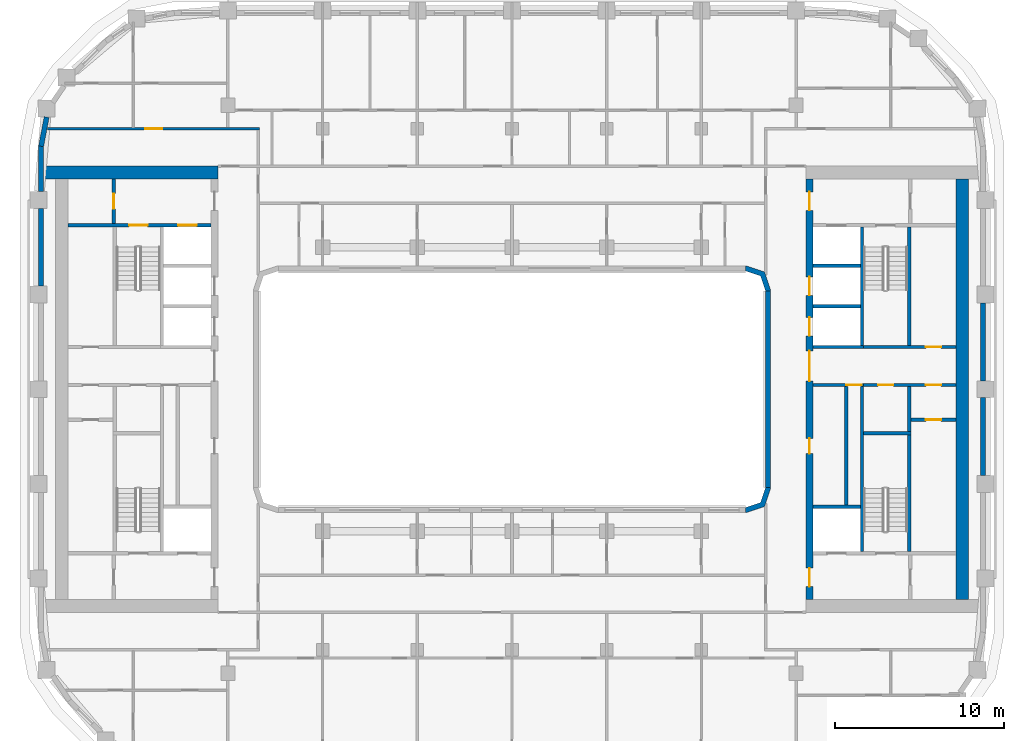
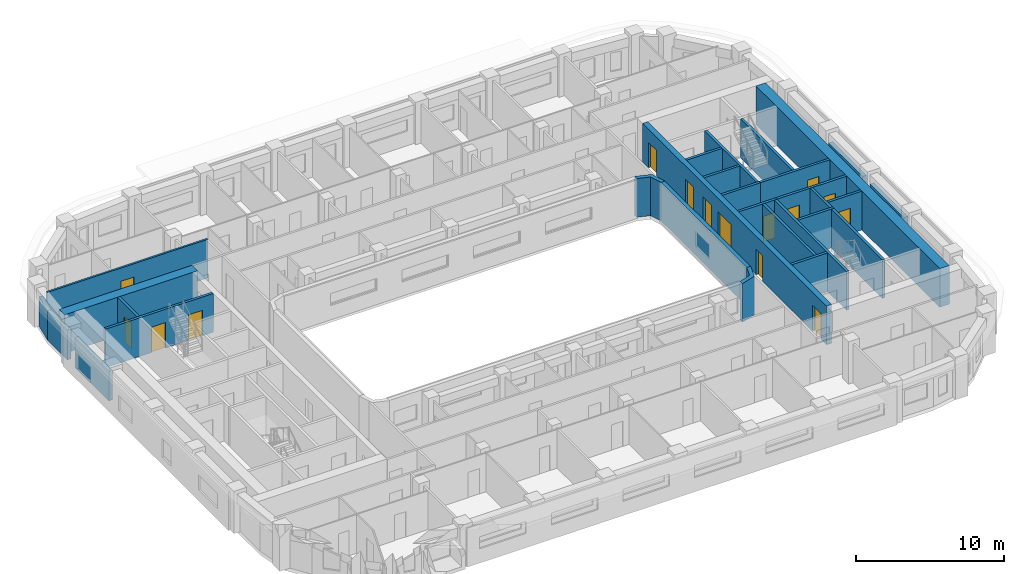
# One storey, part 6 of 22: 29 walls, 15 doors, 15 openings.
"""IFC4 building model written with IfcOpenShell, lengths in metres."""

from ifc_helpers import new_model, si_unit, direction, frame, frame_2d, origin, place, context, subcontext, project, spatial, polyline, rectangle, outline, extrude, material, layer, layer_set, type_object, element, fill, save


model = new_model("IFC4")

# Units and contexts
model_context = context("Model", 3, precision=1e-05, world=origin(), true_north=direction((0.0, 1.0)))
body_context = subcontext(model_context, "Body", "Model", "MODEL_VIEW")
ifc_project = project(units=[si_unit("LENGTHUNIT", "METRE"), si_unit("AREAUNIT", "SQUARE_METRE"), si_unit("VOLUMEUNIT", "CUBIC_METRE"), si_unit("PLANEANGLEUNIT", "RADIAN"), si_unit("MASSUNIT", "GRAM", prefix="KILO")], contexts=[model_context])

# Site, building, storey
site_placement = place(None, origin())
site = spatial("IfcSite", under=ifc_project, at=site_placement, CompositionType="ELEMENT")
building_placement = place(site_placement, origin())
building = spatial("IfcBuilding", under=site, at=building_placement, Name="Kiln Ring Residences", CompositionType="ELEMENT")
storey_placement = place(building_placement, frame((0.0, 0.0, 171.10009765625)))
storey = spatial("IfcBuildingStorey", under=building, at=storey_placement, Name="L44", CompositionType="ELEMENT", Elevation=171.10009765625)

# Wall, opening, door
ifc_material_1 = material(Name="Gypsum board on steel studs", Category="steel")
ifc_layer_1 = layer(ifc_material_1, 0.199951171875)
ifc_layer_set_1 = layer_set([ifc_layer_1], Name="CORE-PARTITION-200")
wall_type_1 = type_object("IfcWallType", Name="CORE-PARTITION-200", PredefinedType="PARTITIONING", material=ifc_layer_set_1)
wall_1_placement = place(storey_placement, frame((-23.550048828125, 9.800048828125, 0.0), z_axis=(0.0, 0.0, 1.0), x_axis=(0.0, 1.0, 0.0)))
wall_1 = element("IfcWall", 1, at=wall_1_placement, inside=storey, type_object=wall_type_1, Name="Core partition west L44 4", PredefinedType="PARTITIONING", context=body_context, shape_type="SweptSolid", body=[
    extrude(rectangle(XDim=2.64990234375, YDim=0.199951171875, at=frame_2d((1.324951171875, 0.0))), origin(), (0.0, 0.0, 1.0), 3.199951171875),
])
opening_1_placement = place(wall_1_placement, frame((0.875, 0.0, 0.0)))
opening_1 = element("IfcOpeningElement", 2, at=opening_1_placement, cuts=wall_1, Name="Opening L44-CW09", PredefinedType="OPENING", context=body_context, shape_type="SweptSolid", body=[
    extrude(rectangle(XDim=0.89990234375, YDim=2.10009765625, at=frame_2d((0.449951171875, 1.050048828125))), frame((0.0, 0.10986328125, 0.0), z_axis=(0.0, -1.0, 0.0), x_axis=(1.0, 0.0, 0.0)), (0.0, 0.0, 1.0), 0.219970703125),
])
ifc_material_2 = material(Name="Steel door leaf", Category="steel")
door_type_1 = type_object("IfcDoorType", Name="CORE-DOOR-ROOM", OperationType="SINGLE_SWING_LEFT", PredefinedType="DOOR", material=ifc_material_2)
door_1_placement = place(opening_1_placement, origin())
door_1 = element("IfcDoor", 3, at=door_1_placement, inside=storey, type_object=door_type_1, Name="Fire riser room L44-CW09", OperationType="SINGLE_SWING_LEFT", OverallHeight=2.10009765625, OverallWidth=0.89990234375, PredefinedType="DOOR", context=body_context, shape_type="SweptSolid", body=[
    extrude(rectangle(XDim=0.89990234375, YDim=2.10009765625, at=frame_2d((0.449951171875, 1.050048828125))), frame((0.0, 0.02490234375, 0.0), z_axis=(0.0, -1.0, 0.0), x_axis=(1.0, 0.0, 0.0)), (0.0, 0.0, 1.0), 0.050048828125),
])
fill(opening_1, door_1)

# Wall
wall_2_placement = place(storey_placement, frame((23.5, -2.5, 0.0), z_axis=(0.0, 0.0, 1.0), x_axis=(0.0, 1.0, 0.0)))
element("IfcWall", 4, at=wall_2_placement, inside=storey, type_object=wall_type_1, Name="Core partition east L44 1", PredefinedType="PARTITIONING", context=body_context, shape_type="SweptSolid", body=[
    extrude(rectangle(XDim=2.64990234375, YDim=0.199951171875, at=frame_2d((1.324951171875, 0.0))), origin(), (0.0, 0.0, 1.0), 3.199951171875),
])

# Wall, openings, doors
wall_3_placement = place(storey_placement, frame((20.800048828125, 0.25, 0.0), z_axis=(0.0, 0.0, 1.0), x_axis=(1.0, 0.0, 0.0)))
wall_3 = element("IfcWall", 5, at=wall_3_placement, inside=storey, type_object=wall_type_1, Name="Core partition east L44 2", PredefinedType="PARTITIONING", context=body_context, shape_type="SweptSolid", body=[
    extrude(rectangle(XDim=5.449951171875, YDim=0.199951171875, at=frame_2d((2.72509765625, 0.0))), origin(), (0.0, 0.0, 1.0), 3.199951171875),
])
opening_2_placement = place(wall_3_placement, frame((0.85009765625, 0.0, 0.0)))
opening_2 = element("IfcOpeningElement", 6, at=opening_2_placement, cuts=wall_3, Name="Opening L44-CE14", PredefinedType="OPENING", context=body_context, shape_type="SweptSolid", body=[
    extrude(rectangle(XDim=0.89990234375, YDim=2.10009765625, at=frame_2d((0.449951171875, 1.050048828125))), frame((0.0, 0.10986328125, 0.0), z_axis=(0.0, -1.0, 0.0), x_axis=(1.0, 0.0, 0.0)), (0.0, 0.0, 1.0), 0.219970703125),
])
opening_3_placement = place(wall_3_placement, frame((3.675048828125, 0.0, 0.0)))
opening_3 = element("IfcOpeningElement", 7, at=opening_3_placement, cuts=wall_3, Name="Opening L44-CE16", PredefinedType="OPENING", context=body_context, shape_type="SweptSolid", body=[
    extrude(rectangle(XDim=0.89990234375, YDim=2.10009765625, at=frame_2d((0.449951171875, 1.050048828125))), frame((0.0, 0.10986328125, 0.0), z_axis=(0.0, -1.0, 0.0), x_axis=(1.0, 0.0, 0.0)), (0.0, 0.0, 1.0), 0.219970703125),
])
door_2_placement = place(opening_2_placement, origin())
door_2 = element("IfcDoor", 8, at=door_2_placement, inside=storey, type_object=door_type_1, Name="Linen store L44-CE14", OperationType="SINGLE_SWING_LEFT", OverallHeight=2.10009765625, OverallWidth=0.89990234375, PredefinedType="DOOR", context=body_context, shape_type="SweptSolid", body=[
    extrude(rectangle(XDim=0.89990234375, YDim=2.10009765625, at=frame_2d((0.449951171875, 1.050048828125))), frame((0.0, 0.02490234375, 0.0), z_axis=(0.0, -1.0, 0.0), x_axis=(1.0, 0.0, 0.0)), (0.0, 0.0, 1.0), 0.050048828125),
])
fill(opening_2, door_2)
door_3_placement = place(opening_3_placement, origin())
door_3 = element("IfcDoor", 9, at=door_3_placement, inside=storey, type_object=door_type_1, Name="Pump and valve room L44-CE16", OperationType="SINGLE_SWING_LEFT", OverallHeight=2.10009765625, OverallWidth=0.89990234375, PredefinedType="DOOR", context=body_context, shape_type="SweptSolid", body=[
    extrude(rectangle(XDim=0.89990234375, YDim=2.10009765625, at=frame_2d((0.449951171875, 1.050048828125))), frame((0.0, 0.02490234375, 0.0), z_axis=(0.0, -1.0, 0.0), x_axis=(1.0, 0.0, 0.0)), (0.0, 0.0, 1.0), 0.050048828125),
])
fill(opening_3, door_3)

# Wall
wall_4_placement = place(storey_placement, frame((19.760009765625, -6.85009765625, 0.0), z_axis=(0.0, 0.0, 1.0), x_axis=(0.0, 1.0, 0.0)))
element("IfcWall", 10, at=wall_4_placement, inside=storey, type_object=wall_type_1, Name="Core partition east L44 3", PredefinedType="PARTITIONING", context=body_context, shape_type="SweptSolid", body=[
    extrude(rectangle(XDim=7.0, YDim=0.199951171875, at=frame_2d((3.5, 0.0))), origin(), (0.0, 0.0, 1.0), 3.199951171875),
])

# Wall, opening, door
wall_5_placement = place(storey_placement, frame((23.60009765625, -1.800048828125, 0.0), z_axis=(0.0, 0.0, 1.0), x_axis=(1.0, 0.0, 0.0)))
wall_5 = element("IfcWall", 11, at=wall_5_placement, inside=storey, type_object=wall_type_1, Name="Core partition east L44 6", PredefinedType="PARTITIONING", context=body_context, shape_type="SweptSolid", body=[
    extrude(rectangle(XDim=2.64990234375, YDim=0.199951171875, at=frame_2d((1.324951171875, 0.0))), origin(), (0.0, 0.0, 1.0), 3.199951171875),
])
opening_4_placement = place(wall_5_placement, frame((0.875, 0.0, 0.0)))
opening_4 = element("IfcOpeningElement", 12, at=opening_4_placement, cuts=wall_5, Name="Opening L44-CE15", PredefinedType="OPENING", context=body_context, shape_type="SweptSolid", body=[
    extrude(rectangle(XDim=0.89990234375, YDim=2.10009765625, at=frame_2d((0.449951171875, 1.050048828125))), frame((0.0, 0.10986328125, 0.0), z_axis=(0.0, -1.0, 0.0), x_axis=(1.0, 0.0, 0.0)), (0.0, 0.0, 1.0), 0.219970703125),
])
door_4_placement = place(opening_4_placement, origin())
door_4 = element("IfcDoor", 13, at=door_4_placement, inside=storey, type_object=door_type_1, Name="Pump and valve room L44-CE15", OperationType="SINGLE_SWING_LEFT", OverallHeight=2.10009765625, OverallWidth=0.89990234375, PredefinedType="DOOR", context=body_context, shape_type="SweptSolid", body=[
    extrude(rectangle(XDim=0.89990234375, YDim=2.10009765625, at=frame_2d((0.449951171875, 1.050048828125))), frame((0.0, 0.02490234375, 0.0), z_axis=(0.0, -1.0, 0.0), x_axis=(1.0, 0.0, 0.0)), (0.0, 0.0, 1.0), 0.050048828125),
])
fill(opening_4, door_4)

# Wall
ifc_material_3 = material(Name="Gypsum shaft wall system")
ifc_layer_2 = layer(ifc_material_3, 0.199951171875)
ifc_layer_set_2 = layer_set([ifc_layer_2], Name="CORE-SHAFT-WALL-200")
wall_type_2 = type_object("IfcWallType", Name="CORE-SHAFT-WALL-200", PredefinedType="PARTITIONING", material=ifc_layer_set_2)
wall_6_placement = place(storey_placement, frame((17.800048828125, -6.949951171875, 0.0), z_axis=(0.0, 0.0, 1.0), x_axis=(1.0, 0.0, 0.0)))
element("IfcWall", 14, at=wall_6_placement, inside=storey, type_object=wall_type_2, Name="Core partition east L44 7", PredefinedType="PARTITIONING", context=body_context, shape_type="SweptSolid", body=[
    extrude(rectangle(XDim=2.800048828125, YDim=0.199951171875, at=frame_2d((1.39990234375, 0.0))), origin(), (0.0, 0.0, 1.0), 3.199951171875),
])

# Wall, opening, door
wall_7_placement = place(storey_placement, frame((17.800048828125, 0.25, 0.0), z_axis=(0.0, 0.0, 1.0), x_axis=(1.0, 0.0, 0.0)))
wall_7 = element("IfcWall", 15, at=wall_7_placement, inside=storey, type_object=wall_type_2, Name="Core partition east L44 8", PredefinedType="PARTITIONING", context=body_context, shape_type="SweptSolid", body=[
    extrude(rectangle(XDim=3.0, YDim=0.199951171875, at=frame_2d((1.5, 0.0))), origin(), (0.0, 0.0, 1.0), 3.199951171875),
])
opening_5_placement = place(wall_7_placement, frame((1.97998046875, 0.0, 0.0)))
opening_5 = element("IfcOpeningElement", 16, at=opening_5_placement, cuts=wall_7, Name="Opening L44-CE03", PredefinedType="OPENING", context=body_context, shape_type="SweptSolid", body=[
    extrude(rectangle(XDim=0.89990234375, YDim=2.10009765625, at=frame_2d((0.449951171875, 1.050048828125))), frame((0.0, 0.10986328125, 0.0), z_axis=(0.0, -1.0, 0.0), x_axis=(1.0, 0.0, 0.0)), (0.0, 0.0, 1.0), 0.219970703125),
])
door_5_placement = place(opening_5_placement, origin())
door_5 = element("IfcDoor", 17, at=door_5_placement, inside=storey, type_object=door_type_1, Name="Waste room L44-CE03", OperationType="SINGLE_SWING_RIGHT", OverallHeight=2.10009765625, OverallWidth=0.89990234375, PredefinedType="DOOR", context=body_context, shape_type="SweptSolid", body=[
    extrude(rectangle(XDim=0.89990234375, YDim=2.10009765625, at=frame_2d((0.449951171875, 1.050048828125))), frame((0.0, 0.02490234375, 0.0), z_axis=(0.0, -1.0, 0.0), x_axis=(1.0, 0.0, 0.0)), (0.0, 0.0, 1.0), 0.050048828125),
])
fill(opening_5, door_5)

# Walls
wall_8_placement = place(storey_placement, frame((17.800048828125, 2.5, 0.0), z_axis=(0.0, 0.0, 1.0), x_axis=(1.0, 0.0, 0.0)))
element("IfcWall", 18, at=wall_8_placement, inside=storey, type_object=wall_type_2, Name="Core partition east L44 9", PredefinedType="PARTITIONING", context=body_context, shape_type="SweptSolid", body=[
    extrude(rectangle(XDim=3.0, YDim=0.199951171875, at=frame_2d((1.5, 0.0))), origin(), (0.0, 0.0, 1.0), 3.199951171875),
])
for number, where, z_axis, x_axis, name in (
    (19, (17.800048828125, 4.89990234375, 0.0), (0.0, 0.0, 1.0), (1.0, 0.0, 0.0), "Core partition east L44 10"),
    (20, (17.800048828125, 7.300048828125, 0.0), (0.0, 0.0, 1.0), (1.0, 0.0, 0.0), "Core partition east L44 11"),
):
    element("IfcWall", number, at=place(storey_placement, frame(where, z_axis=z_axis, x_axis=x_axis)), inside=storey, type_object=wall_type_2, Name=name, PredefinedType="PARTITIONING", context=body_context, shape_type="SweptSolid", body=[
        extrude(rectangle(XDim=2.800048828125, YDim=0.199951171875, at=frame_2d((1.39990234375, 0.0))), origin(), (0.0, 0.0, 1.0), 3.199951171875),
    ])

# Wall, openings, doors
ifc_material_4 = material(Name="Concrete C40/50", Category="concrete")
ifc_layer_3 = layer(ifc_material_4, 0.199951171875)
ifc_layer_set_3 = layer_set([ifc_layer_3], Name="CORE-WALL-RC200")
wall_type_3 = type_object("IfcWallType", Name="CORE-WALL-RC200", PredefinedType="SHEAR", material=ifc_layer_set_3)
wall_9_placement = place(storey_placement, frame((-17.800048828125, 9.699951171875, 0.0), z_axis=(0.0, 0.0, 1.0), x_axis=(-1.0, 0.0, 0.0)))
wall_9 = element("IfcWall", 21, at=wall_9_placement, inside=storey, type_object=wall_type_3, Name="Core wall west L44 9", PredefinedType="SHEAR", context=body_context, shape_type="SweptSolid", body=[
    extrude(rectangle(XDim=8.449951171875, YDim=0.199951171875, at=frame_2d((4.22509765625, 0.0))), origin(), (0.0, 0.0, 1.0), 3.199951171875),
])
opening_6_placement = place(wall_9_placement, frame((0.85009765625, 0.0, 0.0)))
opening_6 = element("IfcOpeningElement", 22, at=opening_6_placement, cuts=wall_9, Name="Opening L44-CW06", PredefinedType="OPENING", context=body_context, shape_type="SweptSolid", body=[
    extrude(rectangle(XDim=1.10009765625, YDim=2.10009765625, at=frame_2d((0.550048828125, 1.050048828125))), frame((0.0, 0.10986328125, 0.0), z_axis=(0.0, -1.0, 0.0), x_axis=(1.0, 0.0, 0.0)), (0.0, 0.0, 1.0), 0.219970703125),
])
opening_7_placement = place(wall_9_placement, frame((3.75, 0.0, 0.0)))
opening_7 = element("IfcOpeningElement", 23, at=opening_7_placement, cuts=wall_9, Name="Opening L44-CW11", PredefinedType="OPENING", context=body_context, shape_type="SweptSolid", body=[
    extrude(rectangle(XDim=1.10009765625, YDim=2.10009765625, at=frame_2d((0.550048828125, 1.050048828125))), frame((0.0, 0.10986328125, 0.0), z_axis=(0.0, -1.0, 0.0), x_axis=(1.0, 0.0, 0.0)), (0.0, 0.0, 1.0), 0.219970703125),
])
ifc_material_5 = material(Name="Steel door leaf", Category="steel")
door_type_2 = type_object("IfcDoorType", Name="CORE-DOOR-LD", OperationType="DOUBLE_DOOR_SLIDING", PredefinedType="DOOR", material=ifc_material_5)
door_6_placement = place(opening_6_placement, origin())
door_6 = element("IfcDoor", 24, at=door_6_placement, inside=storey, type_object=door_type_2, Name="LD W-FF L44-CW06", OperationType="DOUBLE_DOOR_SLIDING", OverallHeight=2.10009765625, OverallWidth=1.10009765625, PredefinedType="DOOR", context=body_context, shape_type="SweptSolid", body=[
    extrude(rectangle(XDim=1.10009765625, YDim=2.10009765625, at=frame_2d((0.550048828125, 1.050048828125))), frame((0.0, 0.02490234375, 0.0), z_axis=(0.0, -1.0, 0.0), x_axis=(1.0, 0.0, 0.0)), (0.0, 0.0, 1.0), 0.050048828125),
])
fill(opening_6, door_6)
ifc_material_6 = material(Name="Steel door leaf", Category="steel")
door_type_3 = type_object("IfcDoorType", Name="CORE-DOOR-STAIR", OperationType="SINGLE_SWING_LEFT", PredefinedType="DOOR", material=ifc_material_6)
door_7_placement = place(opening_7_placement, origin())
door_7 = element("IfcDoor", 25, at=door_7_placement, inside=storey, type_object=door_type_3, Name="Stair W-STN L44-CW11", OperationType="SINGLE_SWING_LEFT", OverallHeight=2.10009765625, OverallWidth=1.10009765625, PredefinedType="DOOR", context=body_context, shape_type="SweptSolid", body=[
    extrude(rectangle(XDim=1.10009765625, YDim=2.10009765625, at=frame_2d((0.550048828125, 1.050048828125))), frame((0.0, 0.02490234375, 0.0), z_axis=(0.0, -1.0, 0.0), x_axis=(1.0, 0.0, 0.0)), (0.0, 0.0, 1.0), 0.050048828125),
])
fill(opening_7, door_7)

# Walls
wall_10_placement = place(storey_placement, frame((20.699951171875, 2.60009765625, 0.0), z_axis=(0.0, 0.0, 1.0), x_axis=(0.0, 1.0, 0.0)))
element("IfcWall", 26, at=wall_10_placement, inside=storey, type_object=wall_type_3, Name="Core wall east L44 1", PredefinedType="SHEAR", context=body_context, shape_type="SweptSolid", body=[
    extrude(rectangle(XDim=7.0, YDim=0.199951171875, at=frame_2d((3.5, 0.0))), origin(), (0.0, 0.0, 1.0), 3.199951171875),
])
wall_11_placement = place(storey_placement, frame((20.699951171875, -9.60009765625, 0.0), z_axis=(0.0, 0.0, 1.0), x_axis=(0.0, 1.0, 0.0)))
element("IfcWall", 27, at=wall_11_placement, inside=storey, type_object=wall_type_3, Name="Core wall east L44 2", PredefinedType="SHEAR", context=body_context, shape_type="SweptSolid", body=[
    extrude(rectangle(XDim=9.75, YDim=0.199951171875, at=frame_2d((4.875, 0.0))), origin(), (0.0, 0.0, 1.0), 3.199951171875),
])

# Wall, opening, door
wall_12_placement = place(storey_placement, frame((20.800048828125, 2.5, 0.0), z_axis=(0.0, 0.0, 1.0), x_axis=(1.0, 0.0, 0.0)))
wall_12 = element("IfcWall", 28, at=wall_12_placement, inside=storey, type_object=wall_type_3, Name="Core wall east L44 3", PredefinedType="SHEAR", context=body_context, shape_type="SweptSolid", body=[
    extrude(rectangle(XDim=5.449951171875, YDim=0.199951171875, at=frame_2d((2.72509765625, 0.0))), origin(), (0.0, 0.0, 1.0), 3.199951171875),
])
opening_8_placement = place(wall_12_placement, frame((3.675048828125, 0.0, 0.0)))
opening_8 = element("IfcOpeningElement", 29, at=opening_8_placement, cuts=wall_12, Name="Opening L44-CE17", PredefinedType="OPENING", context=body_context, shape_type="SweptSolid", body=[
    extrude(rectangle(XDim=0.89990234375, YDim=2.10009765625, at=frame_2d((0.449951171875, 1.050048828125))), frame((0.0, 0.10986328125, 0.0), z_axis=(0.0, -1.0, 0.0), x_axis=(1.0, 0.0, 0.0)), (0.0, 0.0, 1.0), 0.219970703125),
])
door_8_placement = place(opening_8_placement, origin())
door_8 = element("IfcDoor", 30, at=door_8_placement, inside=storey, type_object=door_type_1, Name="Electrical plant room L44-CE17", OperationType="SINGLE_SWING_LEFT", OverallHeight=2.10009765625, OverallWidth=0.89990234375, PredefinedType="DOOR", context=body_context, shape_type="SweptSolid", body=[
    extrude(rectangle(XDim=0.89990234375, YDim=2.10009765625, at=frame_2d((0.449951171875, 1.050048828125))), frame((0.0, 0.02490234375, 0.0), z_axis=(0.0, -1.0, 0.0), x_axis=(1.0, 0.0, 0.0)), (0.0, 0.0, 1.0), 0.050048828125),
])
fill(opening_8, door_8)

# Walls
wall_13_placement = place(storey_placement, frame((23.5, 2.60009765625, 0.0), z_axis=(0.0, 0.0, 1.0), x_axis=(0.0, 1.0, 0.0)))
element("IfcWall", 31, at=wall_13_placement, inside=storey, type_object=wall_type_3, Name="Core wall east L44 10", PredefinedType="SHEAR", context=body_context, shape_type="SweptSolid", body=[
    extrude(rectangle(XDim=7.0, YDim=0.199951171875, at=frame_2d((3.5, 0.0))), origin(), (0.0, 0.0, 1.0), 3.199951171875),
])
wall_14_placement = place(storey_placement, frame((23.5, -9.60009765625, 0.0), z_axis=(0.0, 0.0, 1.0), x_axis=(0.0, 1.0, 0.0)))
element("IfcWall", 32, at=wall_14_placement, inside=storey, type_object=wall_type_3, Name="Core wall east L44 11", PredefinedType="SHEAR", context=body_context, shape_type="SweptSolid", body=[
    extrude(rectangle(XDim=6.900146484375, YDim=0.199951171875, at=frame_2d((3.4501953125, 0.0))), origin(), (0.0, 0.0, 1.0), 3.199951171875),
])
wall_15_placement = place(storey_placement, frame((20.800048828125, -2.60009765625, 0.0), z_axis=(0.0, 0.0, 1.0), x_axis=(1.0, 0.0, 0.0)))
element("IfcWall", 33, at=wall_15_placement, inside=storey, type_object=wall_type_3, Name="Core wall east L44 12", PredefinedType="SHEAR", context=body_context, shape_type="SweptSolid", body=[
    extrude(rectangle(XDim=2.800048828125, YDim=0.199951171875, at=frame_2d((1.39990234375, 0.0))), origin(), (0.0, 0.0, 1.0), 3.199951171875),
])

# Wall, openings, doors
ifc_material_7 = material(Name="Concrete C60/75", Category="concrete")
ifc_layer_4 = layer(ifc_material_7, 0.39990234375)
ifc_layer_set_4 = layer_set([ifc_layer_4], Name="CORE-WALL-RC400")
wall_type_4 = type_object("IfcWallType", Name="CORE-WALL-RC400", PredefinedType="SHEAR", material=ifc_layer_set_4)
wall_16_placement = place(storey_placement, frame((17.60009765625, -12.449951171875, 0.0), z_axis=(0.0, 0.0, 1.0), x_axis=(0.0, 1.0, 0.0)))
wall_16 = element("IfcWall", 34, at=wall_16_placement, inside=storey, type_object=wall_type_4, Name="Core wall east L44 6", PredefinedType="SHEAR", context=body_context, shape_type="SweptSolid", body=[
    extrude(rectangle(XDim=24.89990234375, YDim=0.39990234375, at=frame_2d((12.449951171875, 0.0))), origin(), (0.0, 0.0, 1.0), 3.199951171875),
])
opening_9_placement = place(wall_16_placement, frame((8.64990234375, 0.0, 0.0)))
opening_9 = element("IfcOpeningElement", 35, at=opening_9_placement, cuts=wall_16, Name="Opening L44-CE02", PredefinedType="OPENING", context=body_context, shape_type="SweptSolid", body=[
    extrude(rectangle(XDim=0.89990234375, YDim=2.10009765625, at=frame_2d((0.449951171875, 1.050048828125))), frame((0.0, 0.2099609375, 0.0), z_axis=(0.0, -1.0, 0.0), x_axis=(1.0, 0.0, 0.0)), (0.0, 0.0, 1.0), 0.419921875),
])
opening_10_placement = place(wall_16_placement, frame((15.60009765625, 0.0, 0.0)))
opening_10 = element("IfcOpeningElement", 36, at=opening_10_placement, cuts=wall_16, Name="Opening L44-CE04", PredefinedType="OPENING", context=body_context, shape_type="SweptSolid", body=[
    extrude(rectangle(XDim=1.10009765625, YDim=2.10009765625, at=frame_2d((0.550048828125, 1.050048828125))), frame((0.0, 0.2099609375, 0.0), z_axis=(0.0, -1.0, 0.0), x_axis=(1.0, 0.0, 0.0)), (0.0, 0.0, 1.0), 0.419921875),
])
opening_11_placement = place(wall_16_placement, frame((18.0, 0.0, 0.0)))
opening_11 = element("IfcOpeningElement", 37, at=opening_11_placement, cuts=wall_16, Name="Opening L44-CE05", PredefinedType="OPENING", context=body_context, shape_type="SweptSolid", body=[
    extrude(rectangle(XDim=1.10009765625, YDim=2.10009765625, at=frame_2d((0.550048828125, 1.050048828125))), frame((0.0, 0.2099609375, 0.0), z_axis=(0.0, -1.0, 0.0), x_axis=(1.0, 0.0, 0.0)), (0.0, 0.0, 1.0), 0.419921875),
])
opening_12_placement = place(wall_16_placement, frame((23.02490234375, 0.0, 0.0)))
opening_12 = element("IfcOpeningElement", 38, at=opening_12_placement, cuts=wall_16, Name="Opening L44-CE07", PredefinedType="OPENING", context=body_context, shape_type="SweptSolid", body=[
    extrude(rectangle(XDim=1.10009765625, YDim=2.10009765625, at=frame_2d((0.550048828125, 1.050048828125))), frame((0.0, 0.2099609375, 0.0), z_axis=(0.0, -1.0, 0.0), x_axis=(1.0, 0.0, 0.0)), (0.0, 0.0, 1.0), 0.419921875),
])
opening_13_placement = place(wall_16_placement, frame((0.77490234375, 0.0, 0.0)))
opening_13 = element("IfcOpeningElement", 39, at=opening_13_placement, cuts=wall_16, Name="Opening L44-CE08", PredefinedType="OPENING", context=body_context, shape_type="SweptSolid", body=[
    extrude(rectangle(XDim=1.10009765625, YDim=2.10009765625, at=frame_2d((0.550048828125, 1.050048828125))), frame((0.0, 0.2099609375, 0.0), z_axis=(0.0, -1.0, 0.0), x_axis=(1.0, 0.0, 0.0)), (0.0, 0.0, 1.0), 0.419921875),
])
opening_14_placement = place(wall_16_placement, frame((12.925048828125, 0.0, 0.0)))
opening_14 = element("IfcOpeningElement", 40, at=opening_14_placement, cuts=wall_16, Name="Opening L44-CE13", PredefinedType="OPENING", context=body_context, shape_type="SweptSolid", body=[
    extrude(rectangle(XDim=1.800048828125, YDim=2.10009765625, at=frame_2d((0.89990234375, 1.050048828125))), frame((0.0, 0.2099609375, 0.0), z_axis=(0.0, -1.0, 0.0), x_axis=(1.0, 0.0, 0.0)), (0.0, 0.0, 1.0), 0.419921875),
])
door_9_placement = place(opening_10_placement, origin())
door_9 = element("IfcDoor", 41, at=door_9_placement, inside=storey, type_object=door_type_2, Name="LD E-M1 L44-CE04", OperationType="DOUBLE_DOOR_SLIDING", OverallHeight=2.10009765625, OverallWidth=1.10009765625, PredefinedType="DOOR", context=body_context, shape_type="SweptSolid", body=[
    extrude(rectangle(XDim=1.10009765625, YDim=2.10009765625, at=frame_2d((0.550048828125, 1.050048828125))), frame((0.0, 0.02490234375, 0.0), z_axis=(0.0, -1.0, 0.0), x_axis=(1.0, 0.0, 0.0)), (0.0, 0.0, 1.0), 0.050048828125),
])
fill(opening_10, door_9)
door_10_placement = place(opening_11_placement, origin())
door_10 = element("IfcDoor", 42, at=door_10_placement, inside=storey, type_object=door_type_2, Name="LD E-M2 L44-CE05", OperationType="DOUBLE_DOOR_SLIDING", OverallHeight=2.10009765625, OverallWidth=1.10009765625, PredefinedType="DOOR", context=body_context, shape_type="SweptSolid", body=[
    extrude(rectangle(XDim=1.10009765625, YDim=2.10009765625, at=frame_2d((0.550048828125, 1.050048828125))), frame((0.0, 0.02490234375, 0.0), z_axis=(0.0, -1.0, 0.0), x_axis=(1.0, 0.0, 0.0)), (0.0, 0.0, 1.0), 0.050048828125),
])
fill(opening_11, door_10)
ifc_material_8 = material(Name="Steel door leaf", Category="steel")
door_type_4 = type_object("IfcDoorType", Name="CORE-DOOR-LOBBY", OperationType="SINGLE_SWING_LEFT", PredefinedType="DOOR", material=ifc_material_8)
door_11_placement = place(opening_12_placement, origin())
door_11 = element("IfcDoor", 43, at=door_11_placement, inside=storey, type_object=door_type_4, Name="FFL L44-CE07", OperationType="SINGLE_SWING_LEFT", OverallHeight=2.10009765625, OverallWidth=1.10009765625, PredefinedType="DOOR", context=body_context, shape_type="SweptSolid", body=[
    extrude(rectangle(XDim=1.10009765625, YDim=2.10009765625, at=frame_2d((0.550048828125, 1.050048828125))), frame((0.0, 0.02490234375, 0.0), z_axis=(0.0, -1.0, 0.0), x_axis=(1.0, 0.0, 0.0)), (0.0, 0.0, 1.0), 0.050048828125),
])
fill(opening_12, door_11)
door_12_placement = place(opening_13_placement, origin())
door_12 = element("IfcDoor", 44, at=door_12_placement, inside=storey, type_object=door_type_4, Name="SVL L44-CE08", OperationType="SINGLE_SWING_RIGHT", OverallHeight=2.10009765625, OverallWidth=1.10009765625, PredefinedType="DOOR", context=body_context, shape_type="SweptSolid", body=[
    extrude(rectangle(XDim=1.10009765625, YDim=2.10009765625, at=frame_2d((0.550048828125, 1.050048828125))), frame((0.0, 0.02490234375, 0.0), z_axis=(0.0, -1.0, 0.0), x_axis=(1.0, 0.0, 0.0)), (0.0, 0.0, 1.0), 0.050048828125),
])
fill(opening_13, door_12)
ifc_material_9 = material(Name="Steel door leaf", Category="steel")
door_type_5 = type_object("IfcDoorType", Name="CORE-DOOR-PASS", OperationType="DOUBLE_DOOR_SINGLE_SWING", PredefinedType="DOOR", material=ifc_material_9)
door_13_placement = place(opening_14_placement, origin())
door_13 = element("IfcDoor", 45, at=door_13_placement, inside=storey, type_object=door_type_5, Name="Core passage L44-CE13", OperationType="DOUBLE_DOOR_SINGLE_SWING", OverallHeight=2.10009765625, OverallWidth=1.800048828125, PredefinedType="DOOR", context=body_context, shape_type="SweptSolid", body=[
    extrude(rectangle(XDim=1.800048828125, YDim=2.10009765625, at=frame_2d((0.89990234375, 1.050048828125))), frame((0.0, 0.02490234375, 0.0), z_axis=(0.0, -1.0, 0.0), x_axis=(1.0, 0.0, 0.0)), (0.0, 0.0, 1.0), 0.050048828125),
])
fill(opening_14, door_13)
door_14_placement = place(opening_9_placement, origin())
door_14 = element("IfcDoor", 46, at=door_14_placement, inside=storey, type_object=door_type_1, Name="Janitor's store L44-CE02", OperationType="SINGLE_SWING_LEFT", OverallHeight=2.10009765625, OverallWidth=0.89990234375, PredefinedType="DOOR", context=body_context, shape_type="SweptSolid", body=[
    extrude(rectangle(XDim=0.89990234375, YDim=2.10009765625, at=frame_2d((0.449951171875, 1.050048828125))), frame((0.0, 0.02490234375, 0.0), z_axis=(0.0, -1.0, 0.0), x_axis=(1.0, 0.0, 0.0)), (0.0, 0.0, 1.0), 0.050048828125),
])
fill(opening_9, door_14)

# Walls
ifc_material_10 = material(Name="Concrete C60/75", Category="concrete")
ifc_layer_5 = layer(ifc_material_10, 0.75)
ifc_layer_set_5 = layer_set([ifc_layer_5], Name="CORE-WALL-RC750")
wall_type_5 = type_object("IfcWallType", Name="CORE-WALL-RC750", PredefinedType="SHEAR", material=ifc_layer_set_5)
wall_17_placement = place(storey_placement, frame((-17.39990234375, 12.824951171875, 0.0), z_axis=(0.0, 0.0, 1.0), x_axis=(-1.0, 0.0, 0.0)))
element("IfcWall", 47, at=wall_17_placement, inside=storey, type_object=wall_type_5, Name="Core wall west L44 4", PredefinedType="SHEAR", context=body_context, shape_type="SweptSolid", body=[
    extrude(rectangle(XDim=10.400146484375, YDim=0.75, at=frame_2d((5.2001953125, 0.0))), origin(), (0.0, 0.0, 1.0), 3.199951171875),
])
wall_18_placement = place(storey_placement, frame((26.625, -12.449951171875, 0.0), z_axis=(0.0, 0.0, 1.0), x_axis=(0.0, 1.0, 0.0)))
element("IfcWall", 48, at=wall_18_placement, inside=storey, type_object=wall_type_5, Name="Core wall east L44 7", PredefinedType="SHEAR", context=body_context, shape_type="SweptSolid", body=[
    extrude(rectangle(XDim=24.89990234375, YDim=0.75, at=frame_2d((12.449951171875, 0.0))), origin(), (0.0, 0.0, 1.0), 3.199951171875),
])
ifc_material_11 = material(Name="Brick masonry, dark clay brick", Category="masonry")
ifc_layer_6 = layer(ifc_material_11, 0.300048828125)
ifc_layer_set_6 = layer_set([ifc_layer_6], Name="EW-300 BRICK WALL")
wall_type_6 = type_object("IfcWallType", Name="EW-300 BRICK WALL", PredefinedType="SOLIDWALL", material=ifc_layer_set_6)
for number, where, z_axis, x_axis, name in (
    (49, (27.85009765625, -5.10009765625, 0.0), (0.0, 0.0, 1.0), (0.0, 1.0, 0.0), "Facade wall L44 19"),
    (50, (27.85009765625, 0.5, 0.0), (0.0, 0.0, 1.0), (0.0, 1.0, 0.0), "Facade wall L44 20"),
):
    element("IfcWall", number, at=place(storey_placement, frame(where, z_axis=z_axis, x_axis=x_axis)), inside=storey, type_object=wall_type_6, Name=name, PredefinedType="SOLIDWALL", context=body_context, shape_type="SweptSolid", body=[
        extrude(rectangle(XDim=4.60009765625, YDim=0.300048828125, at=frame_2d((2.300048828125, 0.0))), origin(), (0.0, 0.0, 1.0), 2.449951171875),
    ])
wall_19_placement = place(storey_placement, frame((-27.523681640625, 16.096923828125, 0.0), z_axis=(0.0, 0.0, 1.0), x_axis=(-0.187259034321, -0.982310569049, 0.0)))
element("IfcWall", 51, at=wall_19_placement, inside=storey, type_object=wall_type_6, Name="Facade wall L44 40", PredefinedType="SOLIDWALL", context=body_context, shape_type="SweptSolid", body=[
    extrude(rectangle(XDim=1.756103515625, YDim=0.300048828125, at=frame_2d((0.8779296875, 0.0))), origin(), (0.0, 0.0, 1.0), 2.449951171875),
])
wall_20_placement = place(storey_placement, frame((-27.85009765625, 14.39990234375, 0.0), z_axis=(0.0, 0.0, 1.0), x_axis=(0.0, -1.0, 0.0)))
element("IfcWall", 52, at=wall_20_placement, inside=storey, type_object=wall_type_6, Name="Facade wall L44 41", PredefinedType="SOLIDWALL", context=body_context, shape_type="SweptSolid", body=[
    extrude(rectangle(XDim=2.699951171875, YDim=0.300048828125, at=frame_2d((1.35009765625, 0.0))), origin(), (0.0, 0.0, 1.0), 2.449951171875),
])
wall_21_placement = place(storey_placement, frame((-27.85009765625, 10.699951171875, 0.0), z_axis=(0.0, 0.0, 1.0), x_axis=(0.0, -1.0, 0.0)))
element("IfcWall", 53, at=wall_21_placement, inside=storey, type_object=wall_type_6, Name="Facade wall L44 42", PredefinedType="SOLIDWALL", context=body_context, shape_type="SweptSolid", body=[
    extrude(rectangle(XDim=4.599853515625, YDim=0.300048828125, at=frame_2d((2.2998046875, 0.0))), origin(), (0.0, 0.0, 1.0), 2.449951171875),
])
wall_22_placement = place(storey_placement, frame((15.14990234375, 5.800048828125, 0.0), z_axis=(0.0, 0.0, 1.0), x_axis=(0.0, -1.0, 0.0)))
element("IfcWall", 54, at=wall_22_placement, inside=storey, type_object=wall_type_6, Name="Facade wall L44 51", PredefinedType="SOLIDWALL", context=body_context, shape_type="SweptSolid", body=[
    extrude(rectangle(XDim=11.60009765625, YDim=0.300048828125, at=frame_2d((5.800048828125, 0.0))), origin(), (0.0, 0.0, 1.0), 3.199951171875),
])
placement = place(storey_placement, origin())
element("IfcWall", 55, at=placement, inside=storey, type_object=wall_type_6, Name="Corner wall L44 2", PredefinedType="SOLIDWALL", context=body_context, shape_type="SweptSolid", body=[
    extrude(outline(polyline([(14.937255859375, 6.937255859375), (13.8486328125, 7.300048828125), (13.800048828125, 7.300048828125), (13.800048828125, 7.0), (14.699951171875, 6.699951171875), (15.0, 5.800048828125), (15.300048828125, 5.800048828125), (15.300048828125, 5.8486328125), (14.937255859375, 6.937255859375)])), origin(), (0.0, 0.0, 1.0), 3.199951171875),
])
element("IfcWall", 56, at=placement, inside=storey, type_object=wall_type_6, Name="Corner wall L44 3", PredefinedType="SOLIDWALL", context=body_context, shape_type="SweptSolid", body=[
    extrude(outline(polyline([(14.937255859375, -6.937255859375), (15.300048828125, -5.8486328125), (15.300048828125, -5.800048828125), (15.0, -5.800048828125), (14.699951171875, -6.699951171875), (13.800048828125, -7.0), (13.800048828125, -7.300048828125), (13.8486328125, -7.300048828125), (14.937255859375, -6.937255859375)])), origin(), (0.0, 0.0, 1.0), 3.199951171875),
])

# Wall, opening, door
ifc_material_12 = material(Name="Brick masonry partition", Category="masonry")
ifc_layer_7 = layer(ifc_material_12, 0.14990234375)
ifc_layer_set_7 = layer_set([ifc_layer_7], Name="PARTITION-150-ei60")
wall_type_7 = type_object("IfcWallType", Name="PARTITION-150-ei60", PredefinedType="PARTITIONING", material=ifc_layer_set_7)
wall_25_placement = place(storey_placement, frame((-27.48388671875, 15.39990234375, 0.0), z_axis=(0.0, 0.0, 1.0), x_axis=(1.0, 0.0, 0.0)))
wall_25 = element("IfcWall", 57, at=wall_25_placement, inside=storey, type_object=wall_type_7, Name="Partition 009", PredefinedType="PARTITIONING", context=body_context, shape_type="SweptSolid", body=[
    extrude(rectangle(XDim=12.558837890625, YDim=0.14990234375, at=frame_2d((6.279296875, 0.0))), origin(), (0.0, 0.0, 1.0), 3.199951171875),
])
opening_15_placement = place(wall_25_placement, frame((5.78369140625, 0.0, 0.0)))
opening_15 = element("IfcOpeningElement", 58, at=opening_15_placement, cuts=wall_25, Name="Opening L44-D040", PredefinedType="OPENING", context=body_context, shape_type="SweptSolid", body=[
    extrude(rectangle(XDim=1.0, YDim=2.10009765625, at=frame_2d((0.5, 1.050048828125))), frame((0.0, 0.0849609375, 0.0), z_axis=(0.0, -1.0, 0.0), x_axis=(1.0, 0.0, 0.0)), (0.0, 0.0, 1.0), 0.169921875),
])
ifc_material_13 = material(Name="Steel faced fire door leaf", Category="steel")
door_type_6 = type_object("IfcDoorType", Name="FLAT-DOOR-1000-FR", OperationType="SINGLE_SWING_LEFT", PredefinedType="DOOR", material=ifc_material_13)
door_15_placement = place(opening_15_placement, origin())
door_15 = element("IfcDoor", 59, at=door_15_placement, inside=storey, type_object=door_type_6, Name="Door L44-D040", OperationType="SINGLE_SWING_RIGHT", OverallHeight=2.10009765625, OverallWidth=1.0, PredefinedType="DOOR", context=body_context, shape_type="SweptSolid", body=[
    extrude(rectangle(XDim=1.0, YDim=2.10009765625, at=frame_2d((0.5, 1.050048828125))), frame((0.0, 0.02490234375, 0.0), z_axis=(0.0, -1.0, 0.0), x_axis=(1.0, 0.0, 0.0)), (0.0, 0.0, 1.0), 0.050048828125),
])
fill(opening_15, door_15)

save(model, "model.ifc")
